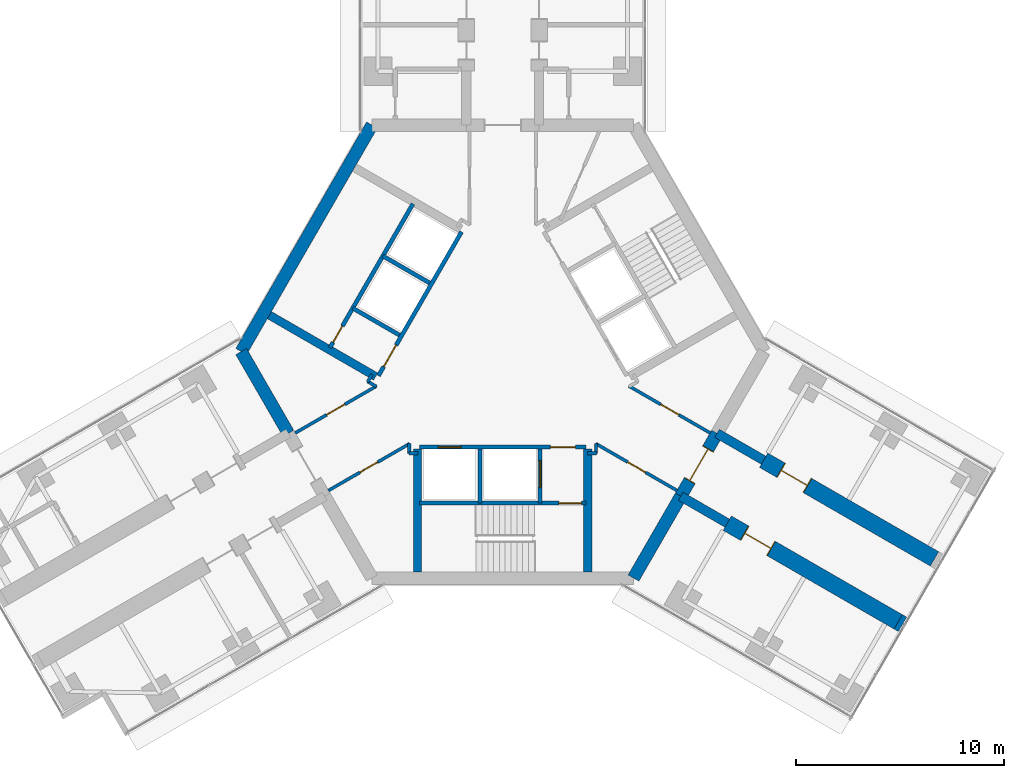
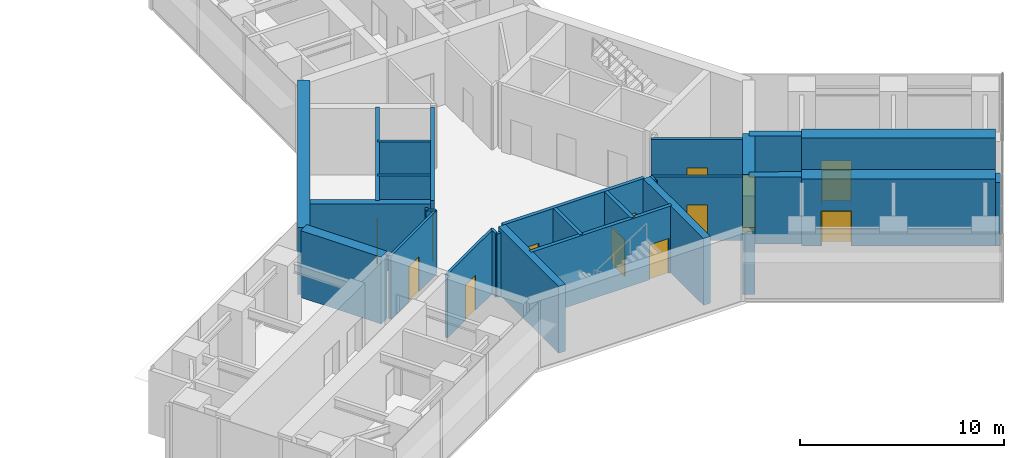
# One storey, part 18 of 21: 30 walls, 13 doors, 13 openings.
"""IFC4 building model written with IfcOpenShell, lengths in metres."""

from ifc_helpers import new_model, si_unit, direction, frame, frame_2d, origin, place, context, subcontext, project, spatial, rectangle, extrude, material, layer, layer_set, type_object, element, fill, save


model = new_model("IFC4")

# Units and contexts
model_context = context("Model", 3, precision=1e-05, world=origin(), true_north=direction((0.0, 1.0)))
body_context = subcontext(model_context, "Body", "Model", "MODEL_VIEW")
ifc_project = project(units=[si_unit("LENGTHUNIT", "METRE"), si_unit("AREAUNIT", "SQUARE_METRE"), si_unit("VOLUMEUNIT", "CUBIC_METRE"), si_unit("PLANEANGLEUNIT", "RADIAN"), si_unit("MASSUNIT", "GRAM", prefix="KILO")], contexts=[model_context])

# Site, building, storey
site_placement = place(None, origin())
site = spatial("IfcSite", under=ifc_project, at=site_placement, CompositionType="ELEMENT")
building_placement = place(site_placement, origin())
building = spatial("IfcBuilding", under=site, at=building_placement, Name="Upepo Twin Towers", CompositionType="ELEMENT")
storey_placement = place(building_placement, frame((0.0, 0.0, 105.5)))
storey = spatial("IfcBuildingStorey", under=building, at=storey_placement, Name="L25", CompositionType="ELEMENT", Elevation=105.5)

# Walls
ifc_material_1 = material(Name="Dense concrete blockwork", Category="masonry")
ifc_layer_1 = layer(ifc_material_1, 0.800048828125)
ifc_layer_set_1 = layer_set([ifc_layer_1], Name="Buttress closer 800, blockwork with fire-stopping to the curtain wall")
wall_type_1 = type_object("IfcWallType", Name="Buttress closer 800, blockwork with fire-stopping to the curtain wall", PredefinedType="PARTITIONING", material=ifc_layer_set_1)
wall_1_placement = place(storey_placement, frame((77.543701171875, -31.015625, 0.0), z_axis=(0.0, 0.0, 1.0), x_axis=(0.865827443207, -0.500342721131, 0.0)))
element("IfcWall", 1, at=wall_1_placement, inside=storey, type_object=wall_type_1, Name="T2 L25 wing C buttress closer R", PredefinedType="PARTITIONING", context=body_context, shape_type="SweptSolid", body=[
    extrude(rectangle(XDim=0.249755859375, YDim=0.800048828125, at=frame_2d((0.125, 0.0))), origin(), (0.0, 0.0, 1.0), 3.800048828125),
])
ifc_material_2 = material(Name="Concrete C60/75", Category="concrete")
ifc_layer_2 = layer(ifc_material_2, 0.449951171875)
ifc_layer_set_2 = layer_set([ifc_layer_2], Name="Concrete C60/75")
wall_type_2 = type_object("IfcWallType", Name="Buttress wall 450 RC", PredefinedType="SHEAR", material=ifc_layer_set_2)
for number, where, z_axis, x_axis, name in (
    (2, (68.82177734375, -21.938720703125, 0.0), (0.0, 0.0, 1.0), (0.866072649678, -0.499918158782, 0.0), "T2 wing C buttress wall L"),
    (3, (67.07177734375, -24.9697265625, 0.0), (0.0, 0.0, 1.0), (0.866031863473, -0.499988811324, 0.0), "T2 wing C buttress wall R"),
):
    element("IfcWall", number, at=place(storey_placement, frame(where, z_axis=z_axis, x_axis=x_axis)), inside=storey, type_object=wall_type_2, Name=name, PredefinedType="SHEAR", context=body_context, shape_type="SweptSolid", body=[
        extrude(rectangle(XDim=2.591796875, YDim=0.449951171875, at=frame_2d((1.2958984375, 0.0))), origin(), (0.0, 0.0, 1.0), 4.0),
    ])

# Wall, opening, door
ifc_material_3 = material(Name="Concrete C60/75", Category="concrete")
ifc_layer_3 = layer(ifc_material_3, 0.800048828125)
ifc_layer_set_3 = layer_set([ifc_layer_3], Name="Concrete C60/75")
wall_type_3 = type_object("IfcWallType", Name="Buttress wall 800 RC", PredefinedType="SHEAR", material=ifc_layer_set_3)
wall_2_placement = place(storey_placement, frame((71.06640625, -23.234375, 0.0), z_axis=(0.0, 0.0, 1.0), x_axis=(0.86602681393, -0.499997557548, 0.0)))
wall_2 = element("IfcWall", 4, at=wall_2_placement, inside=storey, type_object=wall_type_3, Name="T2 wing C buttress wall L part 2", PredefinedType="SHEAR", context=body_context, shape_type="SweptSolid", body=[
    extrude(rectangle(XDim=9.5, YDim=0.800048828125, at=frame_2d((4.75, 0.0))), origin(), (0.0, 0.0, 1.0), 4.0),
])
opening_1_placement = place(wall_2_placement, frame((0.949951171875, 0.0, 0.0)))
opening_1 = element("IfcOpeningElement", 5, at=opening_1_placement, cuts=wall_2, Name="Opening D13", PredefinedType="OPENING", context=body_context, shape_type="SweptSolid", body=[
    extrude(rectangle(XDim=1.5, YDim=2.10009765625, at=frame_2d((0.75, 1.050048828125))), frame((0.0, 0.409912109375, 0.0), z_axis=(0.0, -1.0, 0.0), x_axis=(1.0, 0.0, 0.0)), (0.0, 0.0, 1.0), 0.820068359375),
])
ifc_material_4 = material(Name="Timber doorset", Category="wood")
door_type_1 = type_object("IfcDoorType", Name="Double door 1500 FD30", OperationType="DOUBLE_DOOR_SINGLE_SWING", PredefinedType="DOOR", material=ifc_material_4)
door_1_placement = place(opening_1_placement, origin())
door_1 = element("IfcDoor", 6, at=door_1_placement, inside=storey, type_object=door_type_1, Name="T2 L25 tutorial room door", OperationType="DOUBLE_DOOR_SINGLE_SWING", OverallHeight=2.10009765625, OverallWidth=1.5, PredefinedType="DOOR", context=body_context, shape_type="SweptSolid", body=[
    extrude(rectangle(XDim=1.42, YDim=2.06009765625, at=frame_2d((0.75, 1.030029296875))), frame((0.0, 0.02490234375, 0.0), z_axis=(0.0, -1.0, 0.0), x_axis=(1.0, 0.0, 0.0)), (0.0, 0.0, 1.0), 0.050048828125),
    extrude(rectangle(XDim=0.04, YDim=2.10009765625, at=frame_2d((0.02001953125, 1.050048828125))), frame((0.0, 0.39990234375, 0.0), z_axis=(0.0, -1.0, 0.0), x_axis=(1.0, 0.0, 0.0)), (0.0, 0.0, 1.0), 0.799560546875),
    extrude(rectangle(XDim=0.04, YDim=2.10009765625, at=frame_2d((1.47998046875, 1.050048828125))), frame((0.0, 0.39990234375, 0.0), z_axis=(0.0, -1.0, 0.0), x_axis=(1.0, 0.0, 0.0)), (0.0, 0.0, 1.0), 0.799560546875),
    extrude(rectangle(XDim=1.42, YDim=0.04, at=frame_2d((0.75, 2.080078125))), frame((0.0, 0.39990234375, 0.0), z_axis=(0.0, -1.0, 0.0), x_axis=(1.0, 0.0, 0.0)), (0.0, 0.0, 1.0), 0.799560546875),
])
fill(opening_1, door_1)

wall_3_placement = place(storey_placement, frame((69.31640625, -26.265625, 0.0), z_axis=(0.0, 0.0, 1.0), x_axis=(0.86602681393, -0.499997557548, 0.0)))
wall_3 = element("IfcWall", 7, at=wall_3_placement, inside=storey, type_object=wall_type_3, Name="T2 wing C buttress wall R part 2", PredefinedType="SHEAR", context=body_context, shape_type="SweptSolid", body=[
    extrude(rectangle(XDim=9.5, YDim=0.800048828125, at=frame_2d((4.75, 0.0))), origin(), (0.0, 0.0, 1.0), 4.0),
])
opening_2_placement = place(wall_3_placement, frame((0.949951171875, 0.0, 0.0)))
opening_2 = element("IfcOpeningElement", 8, at=opening_2_placement, cuts=wall_3, Name="Opening D13", PredefinedType="OPENING", context=body_context, shape_type="SweptSolid", body=[
    extrude(rectangle(XDim=1.5, YDim=2.10009765625, at=frame_2d((0.75, 1.050048828125))), frame((0.0, 0.409912109375, 0.0), z_axis=(0.0, -1.0, 0.0), x_axis=(1.0, 0.0, 0.0)), (0.0, 0.0, 1.0), 0.820068359375),
])
door_2_placement = place(opening_2_placement, origin())
door_2 = element("IfcDoor", 9, at=door_2_placement, inside=storey, type_object=door_type_1, Name="T2 L25 tutorial room door", OperationType="DOUBLE_DOOR_SINGLE_SWING", OverallHeight=2.10009765625, OverallWidth=1.5, PredefinedType="DOOR", context=body_context, shape_type="SweptSolid", body=[
    extrude(rectangle(XDim=1.42, YDim=2.06009765625, at=frame_2d((0.75, 1.030029296875))), frame((0.0, 0.02490234375, 0.0), z_axis=(0.0, -1.0, 0.0), x_axis=(1.0, 0.0, 0.0)), (0.0, 0.0, 1.0), 0.050048828125),
    extrude(rectangle(XDim=0.04, YDim=2.10009765625, at=frame_2d((0.02001953125, 1.050048828125))), frame((0.0, 0.39990234375, 0.0), z_axis=(0.0, -1.0, 0.0), x_axis=(1.0, 0.0, 0.0)), (0.0, 0.0, 1.0), 0.799560546875),
    extrude(rectangle(XDim=0.04, YDim=2.10009765625, at=frame_2d((1.47998046875, 1.050048828125))), frame((0.0, 0.39990234375, 0.0), z_axis=(0.0, -1.0, 0.0), x_axis=(1.0, 0.0, 0.0)), (0.0, 0.0, 1.0), 0.799560546875),
    extrude(rectangle(XDim=1.42, YDim=0.04, at=frame_2d((0.75, 2.080078125))), frame((0.0, 0.39990234375, 0.0), z_axis=(0.0, -1.0, 0.0), x_axis=(1.0, 0.0, 0.0)), (0.0, 0.0, 1.0), 0.799560546875),
])
fill(opening_2, door_2)

# Walls
ifc_material_5 = material(Name="Concrete C60/75", Category="concrete")
ifc_layer_4 = layer(ifc_material_5, 0.60009765625)
ifc_layer_set_4 = layer_set([ifc_layer_4], Name="Concrete C60/75")
wall_type_4 = type_object("IfcWallType", Name="Core wall 600 RC", PredefinedType="SHEAR", material=ifc_layer_set_4)
wall_4_placement = place(storey_placement, frame((52.2021484375, -7.091552734375, 0.0), z_axis=(0.0, 0.0, 1.0), x_axis=(-0.500005998175, -0.866021940709, 0.0)))
element("IfcWall", 10, at=wall_4_placement, inside=storey, type_object=wall_type_4, Name="T2 core wall 060", PredefinedType="SHEAR", context=body_context, shape_type="SweptSolid", body=[
    extrude(rectangle(XDim=12.595947265625, YDim=0.60009765625, at=frame_2d((6.2978515625, 0.0))), origin(), (0.0, 0.0, 1.0), 4.0),
])
for number, where, z_axis, x_axis, name in (
    (11, (45.904052734375, -18.0, 0.0), (0.0, 0.0, 1.0), (0.500024481964, -0.866011268655, 0.0), "T2 core wall 120 R"),
    (12, (64.7978515625, -28.908447265625, 0.0), (0.0, 0.0, 1.0), (0.499984222037, 0.866034513004, 0.0), "T2 core wall 240 R"),
):
    element("IfcWall", number, at=place(storey_placement, frame(where, z_axis=z_axis, x_axis=x_axis)), inside=storey, type_object=wall_type_4, Name=name, PredefinedType="SHEAR", context=body_context, shape_type="SweptSolid", body=[
        extrude(rectangle(XDim=4.548095703125, YDim=0.60009765625, at=frame_2d((2.27392578125, 0.0))), origin(), (0.0, 0.0, 1.0), 4.0),
    ])

# Wall, opening, door
wall_5_placement = place(storey_placement, frame((67.07177734375, -24.9697265625, 0.0), z_axis=(0.0, 0.0, 1.0), x_axis=(0.500010275428, 0.866019471182, 0.0)))
wall_5 = element("IfcWall", 13, at=wall_5_placement, inside=storey, type_object=wall_type_4, Name="T2 core wall 240", PredefinedType="SHEAR", context=body_context, shape_type="SweptSolid", body=[
    extrude(rectangle(XDim=3.5, YDim=0.60009765625, at=frame_2d((1.75, 0.0))), origin(), (0.0, 0.0, 1.0), 4.0),
])
opening_3_placement = place(wall_5_placement, frame((0.85009765625, 0.0, 0.0)))
opening_3 = element("IfcOpeningElement", 14, at=opening_3_placement, cuts=wall_5, Name="Opening D2", PredefinedType="OPENING", context=body_context, shape_type="SweptSolid", body=[
    extrude(rectangle(XDim=1.800048828125, YDim=2.10009765625, at=frame_2d((0.89990234375, 1.050048828125))), frame((0.0, 0.31005859375, 0.0), z_axis=(0.0, -1.0, 0.0), x_axis=(1.0, 0.0, 0.0)), (0.0, 0.0, 1.0), 0.6201171875),
])
ifc_material_6 = material(Name="Timber doorset", Category="wood")
door_type_2 = type_object("IfcDoorType", Name="Corridor double door 1800 FD60", OperationType="DOUBLE_DOOR_DOUBLE_SWING", PredefinedType="DOOR", material=ifc_material_6)
door_3_placement = place(opening_3_placement, origin())
door_3 = element("IfcDoor", 15, at=door_3_placement, inside=storey, type_object=door_type_2, Name="T2 L25 wing C corridor door", OperationType="DOUBLE_DOOR_DOUBLE_SWING", OverallHeight=2.10009765625, OverallWidth=1.800048828125, PredefinedType="DOOR", context=body_context, shape_type="SweptSolid", body=[
    extrude(rectangle(XDim=1.720048828125, YDim=2.06009765625, at=frame_2d((0.89990234375, 1.030029296875))), frame((0.0, 0.02490234375, 0.0), z_axis=(0.0, -1.0, 0.0), x_axis=(1.0, 0.0, 0.0)), (0.0, 0.0, 1.0), 0.050048828125),
    extrude(rectangle(XDim=0.04, YDim=2.10009765625, at=frame_2d((0.02001953125, 1.050048828125))), frame((0.0, 0.2998046875, 0.0), z_axis=(0.0, -1.0, 0.0), x_axis=(1.0, 0.0, 0.0)), (0.0, 0.0, 1.0), 0.599609375),
    extrude(rectangle(XDim=0.04, YDim=2.10009765625, at=frame_2d((1.780029296875, 1.050048828125))), frame((0.0, 0.2998046875, 0.0), z_axis=(0.0, -1.0, 0.0), x_axis=(1.0, 0.0, 0.0)), (0.0, 0.0, 1.0), 0.599609375),
    extrude(rectangle(XDim=1.720048828125, YDim=0.04, at=frame_2d((0.89990234375, 2.080078125))), frame((0.0, 0.2998046875, 0.0), z_axis=(0.0, -1.0, 0.0), x_axis=(1.0, 0.0, 0.0)), (0.0, 0.0, 1.0), 0.599609375),
])
fill(opening_3, door_3)

ifc_material_7 = material(Name="Concrete C40/50", Category="concrete")
ifc_layer_5 = layer(ifc_material_7, 0.199951171875)
ifc_layer_set_5 = layer_set([ifc_layer_5], Name="Concrete C40/50")
wall_type_5 = type_object("IfcWallType", Name="Shaft wall 200 RC", PredefinedType="SHEAR", material=ifc_layer_set_5)
wall_6_placement = place(storey_placement, frame((56.516357421875, -12.23583984375, 0.0), z_axis=(0.0, 0.0, 1.0), x_axis=(-0.49999894854, -0.866026010844, 0.0)))
wall_6 = element("IfcWall", 16, at=wall_6_placement, inside=storey, type_object=wall_type_5, Name="T2 core W60 front wall", PredefinedType="SHEAR", context=body_context, shape_type="SweptSolid", body=[
    extrude(rectangle(XDim=8.0, YDim=0.199951171875, at=frame_2d((4.0, 0.0))), origin(), (0.0, 0.0, 1.0), 4.0),
])
opening_4_placement = place(wall_6_placement, frame((6.300048828125, 0.0, 0.0)))
opening_4 = element("IfcOpeningElement", 17, at=opening_4_placement, cuts=wall_6, Name="Opening D4", PredefinedType="OPENING", context=body_context, shape_type="SweptSolid", body=[
    extrude(rectangle(XDim=1.199951171875, YDim=2.10009765625, at=frame_2d((0.60009765625, 1.050048828125))), frame((0.0, 0.10986328125, 0.0), z_axis=(0.0, -1.0, 0.0), x_axis=(1.0, 0.0, 0.0)), (0.0, 0.0, 1.0), 0.219970703125),
])
ifc_material_8 = material(Name="Timber doorset", Category="wood")
door_type_3 = type_object("IfcDoorType", Name="Lobby door 1200 FD60", OperationType="SINGLE_SWING_LEFT", PredefinedType="DOOR", material=ifc_material_8)
door_4_placement = place(opening_4_placement, origin())
door_4 = element("IfcDoor", 18, at=door_4_placement, inside=storey, type_object=door_type_3, Name="T2 L25 W60 lobby door", OperationType="SINGLE_SWING_RIGHT", OverallHeight=2.10009765625, OverallWidth=1.199951171875, PredefinedType="DOOR", context=body_context, shape_type="SweptSolid", body=[
    extrude(rectangle(XDim=1.199951171875, YDim=2.10009765625, at=frame_2d((0.60009765625, 1.050048828125))), frame((0.0, 0.02490234375, 0.0), z_axis=(0.0, -1.0, 0.0), x_axis=(1.0, 0.0, 0.0)), (0.0, 0.0, 1.0), 0.050048828125),
])
fill(opening_4, door_4)

# Walls
for number, where, z_axis, x_axis, name in (
    (19, (54.979736328125, -14.697265625, 0.0), (0.0, 0.0, 1.0), (-0.866062058628, 0.499936506574, 0.0), "T2 core W60 shaft divider"),
    (20, (53.52978515625, -17.208740234375, 0.0), (0.0, 0.0, 1.0), (-0.866062058628, 0.499936506574, 0.0), "T2 core W60 lobby wall"),
):
    element("IfcWall", number, at=place(storey_placement, frame(where, z_axis=z_axis, x_axis=x_axis)), inside=storey, type_object=wall_type_5, Name=name, PredefinedType="SHEAR", context=body_context, shape_type="SweptSolid", body=[
        extrude(rectangle(XDim=2.599853515625, YDim=0.199951171875, at=frame_2d((1.2998046875, 0.0))), origin(), (0.0, 0.0, 1.0), 4.0),
    ])

# Wall, opening, door
wall_7_placement = place(storey_placement, frame((54.177978515625, -10.885986328125, 0.0), z_axis=(0.0, 0.0, 1.0), x_axis=(-0.49999894854, -0.866026010844, 0.0)))
wall_7 = element("IfcWall", 21, at=wall_7_placement, inside=storey, type_object=wall_type_5, Name="T2 core W60 stair wall", PredefinedType="SHEAR", context=body_context, shape_type="SweptSolid", body=[
    extrude(rectangle(XDim=8.0, YDim=0.199951171875, at=frame_2d((4.0, 0.0))), origin(), (0.0, 0.0, 1.0), 4.0),
])
opening_5_placement = place(wall_7_placement, frame((6.800048828125, 0.0, 0.0)))
opening_5 = element("IfcOpeningElement", 22, at=opening_5_placement, cuts=wall_7, Name="Opening D9", PredefinedType="OPENING", context=body_context, shape_type="SweptSolid", body=[
    extrude(rectangle(XDim=0.89990234375, YDim=2.10009765625, at=frame_2d((0.449951171875, 1.050048828125))), frame((0.0, 0.10986328125, 0.0), z_axis=(0.0, -1.0, 0.0), x_axis=(1.0, 0.0, 0.0)), (0.0, 0.0, 1.0), 0.219970703125),
])
ifc_material_9 = material(Name="Timber doorset", Category="wood")
door_type_4 = type_object("IfcDoorType", Name="Riser door 900 FD60", OperationType="SINGLE_SWING_LEFT", PredefinedType="DOOR", material=ifc_material_9)
door_5_placement = place(opening_5_placement, origin())
door_5 = element("IfcDoor", 23, at=door_5_placement, inside=storey, type_object=door_type_4, Name="T2 L25 riser door", OperationType="SINGLE_SWING_RIGHT", OverallHeight=2.10009765625, OverallWidth=0.89990234375, PredefinedType="DOOR", context=body_context, shape_type="SweptSolid", body=[
    extrude(rectangle(XDim=0.89990234375, YDim=2.10009765625, at=frame_2d((0.449951171875, 1.050048828125))), frame((0.0, 0.02490234375, 0.0), z_axis=(0.0, -1.0, 0.0), x_axis=(1.0, 0.0, 0.0)), (0.0, 0.0, 1.0), 0.050048828125),
])
fill(opening_5, door_5)

# Wall, openings, doors
wall_8_placement = place(storey_placement, frame((54.5, -22.60009765625, 0.0), z_axis=(0.0, 0.0, 1.0), x_axis=(1.0, 0.0, 0.0)))
wall_8 = element("IfcWall", 24, at=wall_8_placement, inside=storey, type_object=wall_type_5, Name="T2 core W180 front wall", PredefinedType="SHEAR", context=body_context, shape_type="SweptSolid", body=[
    extrude(rectangle(XDim=8.0, YDim=0.199951171875, at=frame_2d((4.0, 0.0))), origin(), (0.0, 0.0, 1.0), 4.0),
])
opening_6_placement = place(wall_8_placement, frame((6.300048828125, 0.0, 0.0)))
opening_6 = element("IfcOpeningElement", 25, at=opening_6_placement, cuts=wall_8, Name="Opening D4", PredefinedType="OPENING", context=body_context, shape_type="SweptSolid", body=[
    extrude(rectangle(XDim=1.199951171875, YDim=2.10009765625, at=frame_2d((0.60009765625, 1.050048828125))), frame((0.0, 0.10986328125, 0.0), z_axis=(0.0, -1.0, 0.0), x_axis=(1.0, 0.0, 0.0)), (0.0, 0.0, 1.0), 0.219970703125),
])
opening_7_placement = place(wall_8_placement, frame((0.89990234375, 0.0, 0.0)))
opening_7 = element("IfcOpeningElement", 26, at=opening_7_placement, cuts=wall_8, Name="Opening LD1", PredefinedType="OPENING", context=body_context, shape_type="SweptSolid", body=[
    extrude(rectangle(XDim=1.10009765625, YDim=2.199951171875, at=frame_2d((0.550048828125, 1.10009765625))), frame((0.0, 0.10986328125, 0.0), z_axis=(0.0, -1.0, 0.0), x_axis=(1.0, 0.0, 0.0)), (0.0, 0.0, 1.0), 0.219970703125),
])
ifc_material_10 = material(Name="Steel doorset", Category="steel")
door_type_5 = type_object("IfcDoorType", Name="Lift landing door 1100", OperationType="DOUBLE_DOOR_SLIDING", PredefinedType="DOOR", material=ifc_material_10)
door_6_placement = place(opening_7_placement, origin())
door_6 = element("IfcDoor", 27, at=door_6_placement, inside=storey, type_object=door_type_5, Name="T2 L25 lift SV1 landing door", OperationType="DOUBLE_DOOR_SLIDING", OverallHeight=2.199951171875, OverallWidth=1.10009765625, PredefinedType="DOOR", context=body_context, shape_type="SweptSolid", body=[
    extrude(rectangle(XDim=1.10009765625, YDim=2.199951171875, at=frame_2d((0.550048828125, 1.10009765625))), frame((0.0, 0.02490234375, 0.0), z_axis=(0.0, -1.0, 0.0), x_axis=(1.0, 0.0, 0.0)), (0.0, 0.0, 1.0), 0.050048828125),
])
fill(opening_7, door_6)
door_7_placement = place(opening_6_placement, origin())
door_7 = element("IfcDoor", 28, at=door_7_placement, inside=storey, type_object=door_type_3, Name="T2 L25 W180 lobby door", OperationType="SINGLE_SWING_RIGHT", OverallHeight=2.10009765625, OverallWidth=1.199951171875, PredefinedType="DOOR", context=body_context, shape_type="SweptSolid", body=[
    extrude(rectangle(XDim=1.199951171875, YDim=2.10009765625, at=frame_2d((0.60009765625, 1.050048828125))), frame((0.0, 0.02490234375, 0.0), z_axis=(0.0, -1.0, 0.0), x_axis=(1.0, 0.0, 0.0)), (0.0, 0.0, 1.0), 0.050048828125),
])
fill(opening_6, door_7)

# Wall
wall_9_placement = place(storey_placement, frame((57.39990234375, -22.699951171875, 0.0), z_axis=(0.0, 0.0, 1.0), x_axis=(0.0, -1.0, 0.0)))
element("IfcWall", 29, at=wall_9_placement, inside=storey, type_object=wall_type_5, Name="T2 core W180 shaft divider", PredefinedType="SHEAR", context=body_context, shape_type="SweptSolid", body=[
    extrude(rectangle(XDim=2.60009765625, YDim=0.199951171875, at=frame_2d((1.300048828125, 0.0))), origin(), (0.0, 0.0, 1.0), 4.0),
])

# Wall, opening, door
wall_10_placement = place(storey_placement, frame((60.300048828125, -22.699951171875, 0.0), z_axis=(0.0, 0.0, 1.0), x_axis=(0.0, -1.0, 0.0)))
wall_10 = element("IfcWall", 30, at=wall_10_placement, inside=storey, type_object=wall_type_5, Name="T2 core W180 lobby wall", PredefinedType="SHEAR", context=body_context, shape_type="SweptSolid", body=[
    extrude(rectangle(XDim=2.60009765625, YDim=0.199951171875, at=frame_2d((1.300048828125, 0.0))), origin(), (0.0, 0.0, 1.0), 4.0),
])
opening_8_placement = place(wall_10_placement, frame((0.550048828125, 0.0, 0.0)))
opening_8 = element("IfcOpeningElement", 31, at=opening_8_placement, cuts=wall_10, Name="Opening LD2", PredefinedType="OPENING", context=body_context, shape_type="SweptSolid", body=[
    extrude(rectangle(XDim=1.300048828125, YDim=2.199951171875, at=frame_2d((0.64990234375, 1.10009765625))), frame((0.0, 0.10986328125, 0.0), z_axis=(0.0, -1.0, 0.0), x_axis=(1.0, 0.0, 0.0)), (0.0, 0.0, 1.0), 0.219970703125),
])
ifc_material_11 = material(Name="Steel doorset", Category="steel")
door_type_6 = type_object("IfcDoorType", Name="Firefighting lift landing door 1300", OperationType="DOUBLE_DOOR_SLIDING", PredefinedType="DOOR", material=ifc_material_11)
door_8_placement = place(opening_8_placement, origin())
door_8 = element("IfcDoor", 32, at=door_8_placement, inside=storey, type_object=door_type_6, Name="T2 L25 firefighting lift landing door", OperationType="DOUBLE_DOOR_SLIDING", OverallHeight=2.199951171875, OverallWidth=1.300048828125, PredefinedType="DOOR", context=body_context, shape_type="SweptSolid", body=[
    extrude(rectangle(XDim=1.300048828125, YDim=2.199951171875, at=frame_2d((0.64990234375, 1.10009765625))), frame((0.0, 0.02490234375, 0.0), z_axis=(0.0, -1.0, 0.0), x_axis=(1.0, 0.0, 0.0)), (0.0, 0.0, 1.0), 0.050048828125),
])
fill(opening_8, door_8)

wall_11_placement = place(storey_placement, frame((54.5, -25.300048828125, 0.0), z_axis=(0.0, 0.0, 1.0), x_axis=(1.0, 0.0, 0.0)))
wall_11 = element("IfcWall", 33, at=wall_11_placement, inside=storey, type_object=wall_type_5, Name="T2 core W180 stair wall", PredefinedType="SHEAR", context=body_context, shape_type="SweptSolid", body=[
    extrude(rectangle(XDim=8.0, YDim=0.199951171875, at=frame_2d((4.0, 0.0))), origin(), (0.0, 0.0, 1.0), 4.0),
])
opening_9_placement = place(wall_11_placement, frame((6.699951171875, 0.0, 0.0)))
opening_9 = element("IfcOpeningElement", 34, at=opening_9_placement, cuts=wall_11, Name="Opening D3", PredefinedType="OPENING", context=body_context, shape_type="SweptSolid", body=[
    extrude(rectangle(XDim=1.10009765625, YDim=2.10009765625, at=frame_2d((0.550048828125, 1.050048828125))), frame((0.0, 0.10986328125, 0.0), z_axis=(0.0, -1.0, 0.0), x_axis=(1.0, 0.0, 0.0)), (0.0, 0.0, 1.0), 0.219970703125),
])
ifc_material_12 = material(Name="Timber doorset", Category="wood")
door_type_7 = type_object("IfcDoorType", Name="Stair door 1100 FD60", OperationType="SINGLE_SWING_LEFT", PredefinedType="DOOR", material=ifc_material_12)
door_9_placement = place(opening_9_placement, origin())
door_9 = element("IfcDoor", 35, at=door_9_placement, inside=storey, type_object=door_type_7, Name="T2 L25 stair door", OperationType="SINGLE_SWING_RIGHT", OverallHeight=2.10009765625, OverallWidth=1.10009765625, PredefinedType="DOOR", context=body_context, shape_type="SweptSolid", body=[
    extrude(rectangle(XDim=1.10009765625, YDim=2.10009765625, at=frame_2d((0.550048828125, 1.050048828125))), frame((0.0, 0.02490234375, 0.0), z_axis=(0.0, -1.0, 0.0), x_axis=(1.0, 0.0, 0.0)), (0.0, 0.0, 1.0), 0.050048828125),
])
fill(opening_9, door_9)

# Walls
ifc_material_13 = material(Name="Concrete C40/50", Category="concrete")
ifc_layer_6 = layer(ifc_material_13, 0.39990234375)
ifc_layer_set_6 = layer_set([ifc_layer_6], Name="Concrete C40/50")
wall_type_6 = type_object("IfcWallType", Name="Shaft wall 400 RC", PredefinedType="SHEAR", material=ifc_layer_set_6)
wall_12_placement = place(storey_placement, frame((52.379638671875, -19.20068359375, 0.0), z_axis=(0.0, 0.0, 1.0), x_axis=(-0.866027317282, 0.49999668571, 0.0)))
element("IfcWall", 36, at=wall_12_placement, inside=storey, type_object=wall_type_6, Name="T2 core W60 side wall N", PredefinedType="SHEAR", context=body_context, shape_type="SweptSolid", body=[
    extrude(rectangle(XDim=5.908203125, YDim=0.39990234375, at=frame_2d((2.9541015625, 0.0))), origin(), (0.0, 0.0, 1.0), 4.0),
])
for number, where, z_axis, x_axis, name in (
    (37, (62.60009765625, -22.699951171875, 0.0), (0.0, 0.0, 1.0), (0.0, -1.0, 0.0), "T2 core W180 side wall N"),
    (38, (54.39990234375, -22.699951171875, 0.0), (0.0, 0.0, 1.0), (0.0, -1.0, 0.0), "T2 core W180 side wall S"),
):
    element("IfcWall", number, at=place(storey_placement, frame(where, z_axis=z_axis, x_axis=x_axis)), inside=storey, type_object=wall_type_6, Name=name, PredefinedType="SHEAR", context=body_context, shape_type="SweptSolid", body=[
        extrude(rectangle(XDim=5.908447265625, YDim=0.39990234375, at=frame_2d((2.9541015625, 0.0))), origin(), (0.0, 0.0, 1.0), 4.0),
    ])
ifc_material_14 = material(Name="Gypsum board on steel studs", Category="steel")
ifc_layer_7 = layer(ifc_material_14, 0.14990234375)
ifc_layer_set_7 = layer_set([ifc_layer_7], Name="Teaching partition 150 acoustic")
wall_type_7 = type_object("IfcWallType", Name="Teaching partition 150 acoustic", PredefinedType="PARTITIONING", material=ifc_layer_set_7)
wall_13_placement = place(storey_placement, frame((54.0, -22.919921875, 0.0), z_axis=(0.0, 0.0, 1.0), x_axis=(0.0, 1.0, 0.0)))
element("IfcWall", 39, at=wall_13_placement, inside=storey, type_object=wall_type_7, Name="T2 core room partition 1", PredefinedType="PARTITIONING", context=body_context, shape_type="SweptSolid", body=[
    extrude(rectangle(XDim=0.494384765625, YDim=0.14990234375, at=frame_2d((0.2470703125, 0.0))), origin(), (0.0, 0.0, 1.0), 3.800048828125),
])

# Wall, opening, door
wall_14_placement = place(storey_placement, frame((54.017333984375, -22.435546875, 0.0), z_axis=(0.0, 0.0, 1.0), x_axis=(-0.86602002524, -0.500009315796, 0.0)))
wall_14 = element("IfcWall", 40, at=wall_14_placement, inside=storey, type_object=wall_type_7, Name="T2 core room partition 2", PredefinedType="PARTITIONING", context=body_context, shape_type="SweptSolid", body=[
    extrude(rectangle(XDim=4.5185546875, YDim=0.14990234375, at=frame_2d((2.25927734375, 0.0))), origin(), (0.0, 0.0, 1.0), 3.800048828125),
])
opening_10_placement = place(wall_14_placement, frame((1.769287109375, 0.0, 0.0)))
opening_10 = element("IfcOpeningElement", 41, at=opening_10_placement, cuts=wall_14, Name="Opening D1", PredefinedType="OPENING", context=body_context, shape_type="SweptSolid", body=[
    extrude(rectangle(XDim=1.0, YDim=2.10009765625, at=frame_2d((0.5, 1.050048828125))), frame((0.0, 0.0849609375, 0.0), z_axis=(0.0, -1.0, 0.0), x_axis=(1.0, 0.0, 0.0)), (0.0, 0.0, 1.0), 0.169921875),
])
ifc_material_15 = material(Name="Timber doorset", Category="wood")
door_type_8 = type_object("IfcDoorType", Name="Room door 1000 FD30", OperationType="SINGLE_SWING_LEFT", PredefinedType="DOOR", material=ifc_material_15)
door_10_placement = place(opening_10_placement, origin())
door_10 = element("IfcDoor", 42, at=door_10_placement, inside=storey, type_object=door_type_8, Name="T2 L25 core room door K2", OperationType="SINGLE_SWING_RIGHT", OverallHeight=2.10009765625, OverallWidth=1.0, PredefinedType="DOOR", context=body_context, shape_type="SweptSolid", body=[
    extrude(rectangle(XDim=1.0, YDim=2.10009765625, at=frame_2d((0.5, 1.050048828125))), frame((0.0, 0.02490234375, 0.0), z_axis=(0.0, -1.0, 0.0), x_axis=(1.0, 0.0, 0.0)), (0.0, 0.0, 1.0), 0.050048828125),
])
fill(opening_10, door_10)

wall_15_placement = place(storey_placement, frame((48.50439453125, -21.923583984375, 0.0), z_axis=(0.0, 0.0, 1.0), x_axis=(0.866006515865, 0.500032713409, 0.0)))
wall_15 = element("IfcWall", 43, at=wall_15_placement, inside=storey, type_object=wall_type_7, Name="T2 core room partition 3", PredefinedType="PARTITIONING", context=body_context, shape_type="SweptSolid", body=[
    extrude(rectangle(XDim=4.518310546875, YDim=0.14990234375, at=frame_2d((2.25927734375, 0.0))), origin(), (0.0, 0.0, 1.0), 3.800048828125),
])
opening_11_placement = place(wall_15_placement, frame((1.7490234375, 0.0, 0.0)))
opening_11 = element("IfcOpeningElement", 44, at=opening_11_placement, cuts=wall_15, Name="Opening D1", PredefinedType="OPENING", context=body_context, shape_type="SweptSolid", body=[
    extrude(rectangle(XDim=1.0, YDim=2.10009765625, at=frame_2d((0.5, 1.050048828125))), frame((0.0, 0.0849609375, 0.0), z_axis=(0.0, -1.0, 0.0), x_axis=(1.0, 0.0, 0.0)), (0.0, 0.0, 1.0), 0.169921875),
])
door_11_placement = place(opening_11_placement, origin())
door_11 = element("IfcDoor", 45, at=door_11_placement, inside=storey, type_object=door_type_8, Name="T2 L25 core room door K1", OperationType="SINGLE_SWING_LEFT", OverallHeight=2.10009765625, OverallWidth=1.0, PredefinedType="DOOR", context=body_context, shape_type="SweptSolid", body=[
    extrude(rectangle(XDim=1.0, YDim=2.10009765625, at=frame_2d((0.5, 1.050048828125))), frame((0.0, 0.02490234375, 0.0), z_axis=(0.0, -1.0, 0.0), x_axis=(1.0, 0.0, 0.0)), (0.0, 0.0, 1.0), 0.050048828125),
])
fill(opening_11, door_11)

# Walls
wall_16_placement = place(storey_placement, frame((52.417236328125, -19.684326171875, 0.0), z_axis=(0.0, 0.0, 1.0), x_axis=(-0.865831790172, 0.50033519877, 0.0)))
element("IfcWall", 46, at=wall_16_placement, inside=storey, type_object=wall_type_7, Name="T2 core room partition 4", PredefinedType="PARTITIONING", context=body_context, shape_type="SweptSolid", body=[
    extrude(rectangle(XDim=0.494384765625, YDim=0.14990234375, at=frame_2d((0.2470703125, 0.0))), origin(), (0.0, 0.0, 1.0), 3.800048828125),
])
wall_17_placement = place(storey_placement, frame((51.99658203125, -19.46435546875, 0.0), z_axis=(0.0, 0.0, 1.0), x_axis=(0.499804398801, 0.866138304741, 0.0)))
element("IfcWall", 47, at=wall_17_placement, inside=storey, type_object=wall_type_7, Name="T2 core room partition 5", PredefinedType="PARTITIONING", context=body_context, shape_type="SweptSolid", body=[
    extrude(rectangle(XDim=0.429931640625, YDim=0.14990234375, at=frame_2d((0.21484375, 0.0))), origin(), (0.0, 0.0, 1.0), 3.800048828125),
])

# Wall, opening, door
wall_18_placement = place(storey_placement, frame((64.582763671875, -19.664306640625, 0.0), z_axis=(0.0, 0.0, 1.0), x_axis=(0.866006515865, -0.500032713409, 0.0)))
wall_18 = element("IfcWall", 48, at=wall_18_placement, inside=storey, type_object=wall_type_7, Name="T2 core room partition 14", PredefinedType="PARTITIONING", context=body_context, shape_type="SweptSolid", body=[
    extrude(rectangle(XDim=4.518310546875, YDim=0.14990234375, at=frame_2d((2.25927734375, 0.0))), origin(), (0.0, 0.0, 1.0), 3.800048828125),
])
opening_12_placement = place(wall_18_placement, frame((1.769287109375, 0.0, 0.0)))
opening_12 = element("IfcOpeningElement", 49, at=opening_12_placement, cuts=wall_18, Name="Opening D1", PredefinedType="OPENING", context=body_context, shape_type="SweptSolid", body=[
    extrude(rectangle(XDim=1.0, YDim=2.10009765625, at=frame_2d((0.5, 1.050048828125))), frame((0.0, 0.0849609375, 0.0), z_axis=(0.0, -1.0, 0.0), x_axis=(1.0, 0.0, 0.0)), (0.0, 0.0, 1.0), 0.169921875),
])
door_12_placement = place(opening_12_placement, origin())
door_12 = element("IfcDoor", 50, at=door_12_placement, inside=storey, type_object=door_type_8, Name="T2 L25 core room door K4", OperationType="SINGLE_SWING_RIGHT", OverallHeight=2.10009765625, OverallWidth=1.0, PredefinedType="DOOR", context=body_context, shape_type="SweptSolid", body=[
    extrude(rectangle(XDim=1.0, YDim=2.10009765625, at=frame_2d((0.5, 1.050048828125))), frame((0.0, 0.02490234375, 0.0), z_axis=(0.0, -1.0, 0.0), x_axis=(1.0, 0.0, 0.0)), (0.0, 0.0, 1.0), 0.050048828125),
])
fill(opening_12, door_12)

wall_19_placement = place(storey_placement, frame((66.895751953125, -24.69482421875, 0.0), z_axis=(0.0, 0.0, 1.0), x_axis=(-0.86602002524, 0.500009315796, 0.0)))
wall_19 = element("IfcWall", 51, at=wall_19_placement, inside=storey, type_object=wall_type_7, Name="T2 core room partition 15", PredefinedType="PARTITIONING", context=body_context, shape_type="SweptSolid", body=[
    extrude(rectangle(XDim=4.5185546875, YDim=0.14990234375, at=frame_2d((2.25927734375, 0.0))), origin(), (0.0, 0.0, 1.0), 3.800048828125),
])
opening_13_placement = place(wall_19_placement, frame((1.7490234375, 0.0, 0.0)))
opening_13 = element("IfcOpeningElement", 52, at=opening_13_placement, cuts=wall_19, Name="Opening D1", PredefinedType="OPENING", context=body_context, shape_type="SweptSolid", body=[
    extrude(rectangle(XDim=1.0, YDim=2.10009765625, at=frame_2d((0.5, 1.050048828125))), frame((0.0, 0.0849609375, 0.0), z_axis=(0.0, -1.0, 0.0), x_axis=(1.0, 0.0, 0.0)), (0.0, 0.0, 1.0), 0.169921875),
])
door_13_placement = place(opening_13_placement, origin())
door_13 = element("IfcDoor", 53, at=door_13_placement, inside=storey, type_object=door_type_8, Name="T2 L25 core room door K3", OperationType="SINGLE_SWING_LEFT", OverallHeight=2.10009765625, OverallWidth=1.0, PredefinedType="DOOR", context=body_context, shape_type="SweptSolid", body=[
    extrude(rectangle(XDim=1.0, YDim=2.10009765625, at=frame_2d((0.5, 1.050048828125))), frame((0.0, 0.02490234375, 0.0), z_axis=(0.0, -1.0, 0.0), x_axis=(1.0, 0.0, 0.0)), (0.0, 0.0, 1.0), 0.050048828125),
])
fill(opening_13, door_13)

# Walls
wall_20_placement = place(storey_placement, frame((63.0, -22.425537109375, 0.0), z_axis=(0.0, 0.0, 1.0), x_axis=(0.0, -1.0, 0.0)))
element("IfcWall", 54, at=wall_20_placement, inside=storey, type_object=wall_type_7, Name="T2 core room partition 16", PredefinedType="PARTITIONING", context=body_context, shape_type="SweptSolid", body=[
    extrude(rectangle(XDim=0.494384765625, YDim=0.14990234375, at=frame_2d((0.2470703125, 0.0))), origin(), (0.0, 0.0, 1.0), 3.800048828125),
])
for number, where, z_axis, x_axis, name in (
    (55, (63.02001953125, -22.89990234375, 0.0), (0.0, 0.0, 1.0), (-1.0, 0.0, 0.0), "T2 core room partition 17"),
    (56, (54.409912109375, -22.89990234375, 0.0), (0.0, 0.0, 1.0), (-1.0, 0.0, 0.0), "T2 core room partition 18"),
):
    element("IfcWall", number, at=place(storey_placement, frame(where, z_axis=z_axis, x_axis=x_axis)), inside=storey, type_object=wall_type_7, Name=name, PredefinedType="PARTITIONING", context=body_context, shape_type="SweptSolid", body=[
        extrude(rectangle(XDim=0.429931640625, YDim=0.14990234375, at=frame_2d((0.21484375, 0.0))), origin(), (0.0, 0.0, 1.0), 3.800048828125),
    ])

save(model, "model.ifc")
